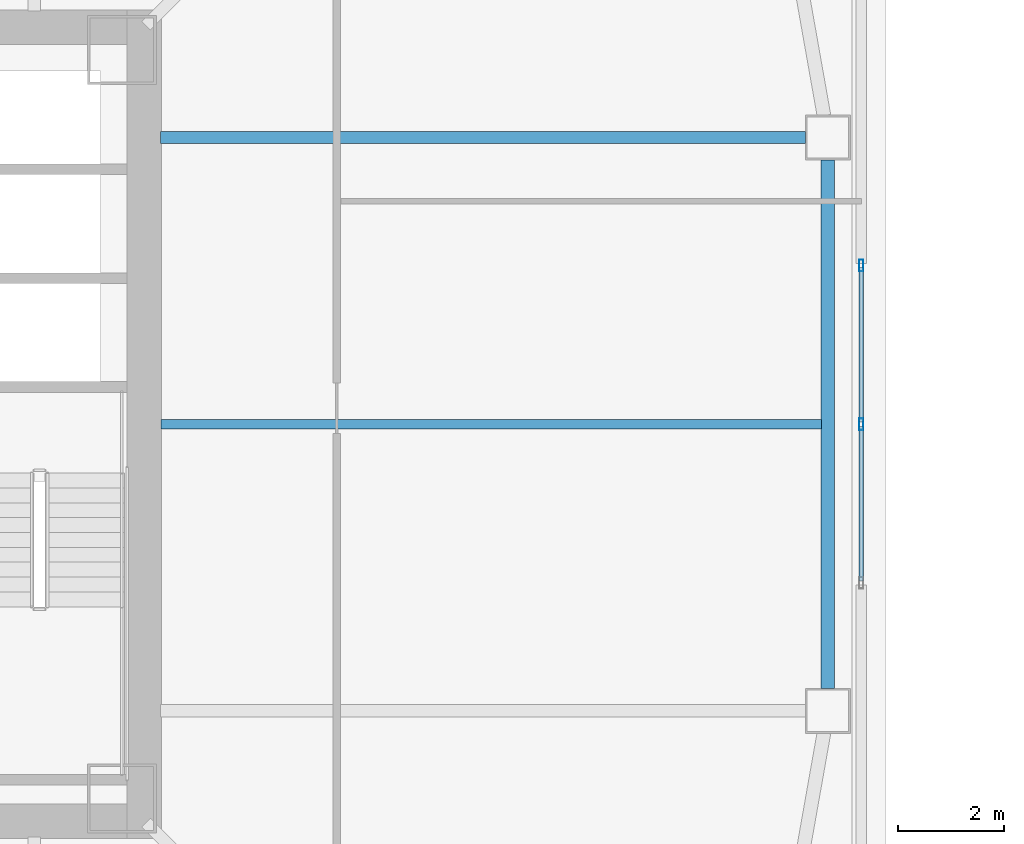
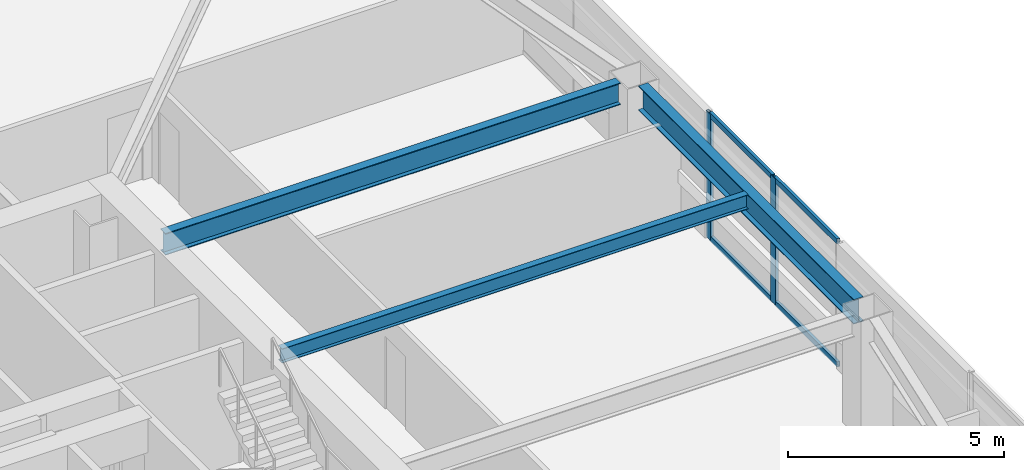
# One storey, part 10 of 44: 6 members, 3 beams, 1 element without a shape of its own.
"""IFC4 building model written with IfcOpenShell, lengths in metres."""

from ifc_helpers import new_model, si_unit, direction, frame, origin, origin_2d, place, context, subcontext, project, spatial, hollow_rectangle, i_section, extrude, material, material_profile, profile_set, type_object, element, aggregate, save


model = new_model("IFC4")

# Units and contexts
model_context = context("Model", 3, precision=1e-05, world=origin(), true_north=direction((0.0, 1.0)))
body_context = subcontext(model_context, "Body", "Model", "MODEL_VIEW")
ifc_project = project(units=[si_unit("LENGTHUNIT", "METRE"), si_unit("AREAUNIT", "SQUARE_METRE"), si_unit("VOLUMEUNIT", "CUBIC_METRE"), si_unit("PLANEANGLEUNIT", "RADIAN"), si_unit("MASSUNIT", "GRAM", prefix="KILO")], contexts=[model_context])

# Site, building, storey
site_placement = place(None, origin())
site = spatial("IfcSite", under=ifc_project, at=site_placement, CompositionType="ELEMENT")
building_placement = place(site_placement, origin())
building = spatial("IfcBuilding", under=site, at=building_placement, Name="Tashvorn Skyway Center", CompositionType="ELEMENT")
storey_placement = place(building_placement, frame((0.0, 0.0, 92.050048828125)))
storey = spatial("IfcBuildingStorey", under=building, at=storey_placement, Name="L24", CompositionType="ELEMENT", Elevation=92.050048828125)

# Beams
ifc_material_1 = material(Name="Steel ASTM A992 Grade 50", Category="steel")
ifc_material_profile_1 = material_profile(ifc_material_1, i_section(OverallWidth=0.22998046875, OverallDepth=0.616943359375, WebThickness=0.01318359375, FlangeThickness=0.022216796875, at=origin_2d()), Name="W24X94")
ifc_profile_set_1 = profile_set([ifc_material_profile_1], Name="Steel ASTM A992 Grade 50")
beam_type_1 = type_object("IfcBeamType", Name="BM-BEAM-W24X94", PredefinedType="BEAM", material=ifc_profile_set_1)
beam_1_placement = place(storey_placement, frame((61.929931640625, 37.39990234375, 3.04150390625), z_axis=(-1.0, 0.0, 0.0), x_axis=(0.0, -1.0, 0.0)))
element("IfcBeam", 1, at=beam_1_placement, inside=storey, type_object=beam_type_1, Name="Tower 1 L24 Primary Floor Girder FC-E2", PredefinedType="BEAM", context=body_context, shape_type="SweptSolid", body=[
    extrude(i_section(OverallWidth=0.22998046875, OverallDepth=0.616943359375, WebThickness=0.01318359375, FlangeThickness=0.022216796875, at=origin_2d()), origin(), (0.0, 0.0, 1.0), 12.14990234375),
])
ifc_material_profile_2 = material_profile(ifc_material_1, i_section(OverallWidth=0.177978515625, OverallDepth=0.406005859375, WebThickness=0.0078125, FlangeThickness=0.0126953125, at=origin_2d()), Name="W16X40")
ifc_profile_set_2 = profile_set([ifc_material_profile_2], Name="Steel ASTM A992 Grade 50")
beam_type_2 = type_object("IfcBeamType", Name="BM-JOIST-W16X40", PredefinedType="JOIST", material=ifc_profile_set_2)
beam_2_placement = place(storey_placement, frame((49.7900390625, 32.0, 3.14697265625), z_axis=(1.0, 0.0, 0.0), x_axis=(0.0, 1.0, 0.0)))
element("IfcBeam", 2, at=beam_2_placement, inside=storey, type_object=beam_type_2, Name="Tower 1 L24 Secondary Composite Joist JE", PredefinedType="JOIST", context=body_context, shape_type="SweptSolid", body=[
    extrude(i_section(OverallWidth=0.177978515625, OverallDepth=0.406005859375, WebThickness=0.0078125, FlangeThickness=0.0126953125, at=origin_2d()), origin(), (0.0, 0.0, 1.0), 12.43994140625),
])
ifc_material_profile_3 = material_profile(ifc_material_1, i_section(OverallWidth=0.256103515625, OverallDepth=0.693115234375, WebThickness=0.014404296875, FlangeThickness=0.023681640625, at=origin_2d()), Name="W27X114")
ifc_profile_set_3 = profile_set([ifc_material_profile_3], Name="Steel ASTM A992 Grade 50")
beam_type_3 = type_object("IfcBeamType", Name="BM-SPANDREL-W27X114", PredefinedType="SPANDREL", material=ifc_profile_set_3)
beam_3_placement = place(storey_placement, frame((62.35009765625, 27.02001953125, 3.00341796875), z_axis=(0.0, 1.0, 0.0), x_axis=(-1.0, 0.0, 0.0)))
element("IfcBeam", 3, at=beam_3_placement, inside=storey, type_object=beam_type_3, Name="Tower 1 L24 Spandrel Beam 05", PredefinedType="SPANDREL", context=body_context, shape_type="SweptSolid", body=[
    extrude(i_section(OverallWidth=0.256103515625, OverallDepth=0.693115234375, WebThickness=0.014404296875, FlangeThickness=0.023681640625, at=origin_2d()), origin(), (0.0, 0.0, 1.0), 9.9599609375),
])

# Curtain wall, members
ifc_material_2 = material(Name="Thermally broken bronze-anodized aluminium 6063-T6", Category="aluminium")
curtain_wall_type = type_object("IfcCurtainWallType", Name="CW-CW-Z2", PredefinedType="NOTDEFINED", material=ifc_material_2)
curtain_wall_placement = place(storey_placement, origin())
curtain_wall = element("IfcCurtainWall", 4, at=curtain_wall_placement, inside=storey, type_object=curtain_wall_type, Name="Tower 1 L24 East Unitised Curtain Wall Glazing Group 2", PredefinedType="NOTDEFINED")
ifc_material_profile_4 = material_profile(ifc_material_2, hollow_rectangle(XDim=0.080078125, YDim=0.219970703125, WallThickness=0.0048828125, at=origin_2d()), Name="ALU-MULL-80x220")
ifc_profile_set_4 = profile_set([ifc_material_profile_4], Name="Thermally broken bronze-anodized aluminium 6063-T6")
member_type_1 = type_object("IfcMemberType", Name="CWM-CW-Z2", PredefinedType="MULLION", material=ifc_profile_set_4)
member_1_placement = place(storey_placement, frame((62.97998046875, 34.989990234375, 0.0), z_axis=(0.0, 0.0, 1.0), x_axis=(1.0, 0.0, 0.0)))
member_1 = element("IfcMember", 5, at=member_1_placement, type_object=member_type_1, Name="CW-Z2 mullion 1", PredefinedType="MULLION", context=body_context, shape_type="SweptSolid", body=[
    extrude(hollow_rectangle(XDim=0.080078125, YDim=0.219970703125, WallThickness=0.0048828125, at=origin_2d()), origin(), (0.0, 0.0, 1.0), 3.550048828125),
])
member_2_placement = place(storey_placement, frame((62.97998046875, 32.0, 0.0), z_axis=(0.0, 0.0, 1.0), x_axis=(1.0, 0.0, 0.0)))
member_2 = element("IfcMember", 6, at=member_2_placement, type_object=member_type_1, Name="CW-Z2 mullion 2", PredefinedType="MULLION", context=body_context, shape_type="SweptSolid", body=[
    extrude(hollow_rectangle(XDim=0.080078125, YDim=0.219970703125, WallThickness=0.0048828125, at=origin_2d()), origin(), (0.0, 0.0, 1.0), 3.550048828125),
])
ifc_material_profile_5 = material_profile(ifc_material_2, hollow_rectangle(XDim=0.080078125, YDim=0.14990234375, WallThickness=0.00439453125, at=origin_2d()), Name="ALU-TRAN-80x150")
ifc_profile_set_5 = profile_set([ifc_material_profile_5], Name="Thermally broken bronze-anodized aluminium 6063-T6")
member_type_2 = type_object("IfcMemberType", Name="CWT-CW-Z2", PredefinedType="USERDEFINED", material=ifc_profile_set_5)
member_3_placement = place(storey_placement, frame((62.97998046875, 34.949951171875, 0.0400390625), z_axis=(0.0, -1.0, 0.0), x_axis=(1.0, 0.0, 0.0)))
member_3 = element("IfcMember", 7, at=member_3_placement, type_object=member_type_2, Name="CW-Z2 transom 1.1", ObjectType="TRANSOM", PredefinedType="USERDEFINED", context=body_context, shape_type="SweptSolid", body=[
    extrude(hollow_rectangle(XDim=0.080078125, YDim=0.14990234375, WallThickness=0.00439453125, at=origin_2d()), origin(), (0.0, 0.0, 1.0), 2.909912109375),
])
member_4_placement = place(storey_placement, frame((62.97998046875, 34.949951171875, 3.510009765625), z_axis=(0.0, -1.0, 0.0), x_axis=(1.0, 0.0, 0.0)))
member_4 = element("IfcMember", 8, at=member_4_placement, type_object=member_type_2, Name="CW-Z2 transom 1.2", ObjectType="TRANSOM", PredefinedType="USERDEFINED", context=body_context, shape_type="SweptSolid", body=[
    extrude(hollow_rectangle(XDim=0.080078125, YDim=0.14990234375, WallThickness=0.00439453125, at=origin_2d()), origin(), (0.0, 0.0, 1.0), 2.909912109375),
])
member_5_placement = place(storey_placement, frame((62.97998046875, 31.9599609375, 0.0400390625), z_axis=(0.0, -1.0, 0.0), x_axis=(1.0, 0.0, 0.0)))
member_5 = element("IfcMember", 9, at=member_5_placement, type_object=member_type_2, Name="CW-Z2 transom 2.1", ObjectType="TRANSOM", PredefinedType="USERDEFINED", context=body_context, shape_type="SweptSolid", body=[
    extrude(hollow_rectangle(XDim=0.080078125, YDim=0.14990234375, WallThickness=0.00439453125, at=origin_2d()), origin(), (0.0, 0.0, 1.0), 2.909912109375),
])
member_6_placement = place(storey_placement, frame((62.97998046875, 31.9599609375, 3.510009765625), z_axis=(0.0, -1.0, 0.0), x_axis=(1.0, 0.0, 0.0)))
member_6 = element("IfcMember", 10, at=member_6_placement, type_object=member_type_2, Name="CW-Z2 transom 2.2", ObjectType="TRANSOM", PredefinedType="USERDEFINED", context=body_context, shape_type="SweptSolid", body=[
    extrude(hollow_rectangle(XDim=0.080078125, YDim=0.14990234375, WallThickness=0.00439453125, at=origin_2d()), origin(), (0.0, 0.0, 1.0), 2.909912109375),
])
aggregate(curtain_wall, [member_1, member_2, member_3, member_4, member_5, member_6])

save(model, "model.ifc")
